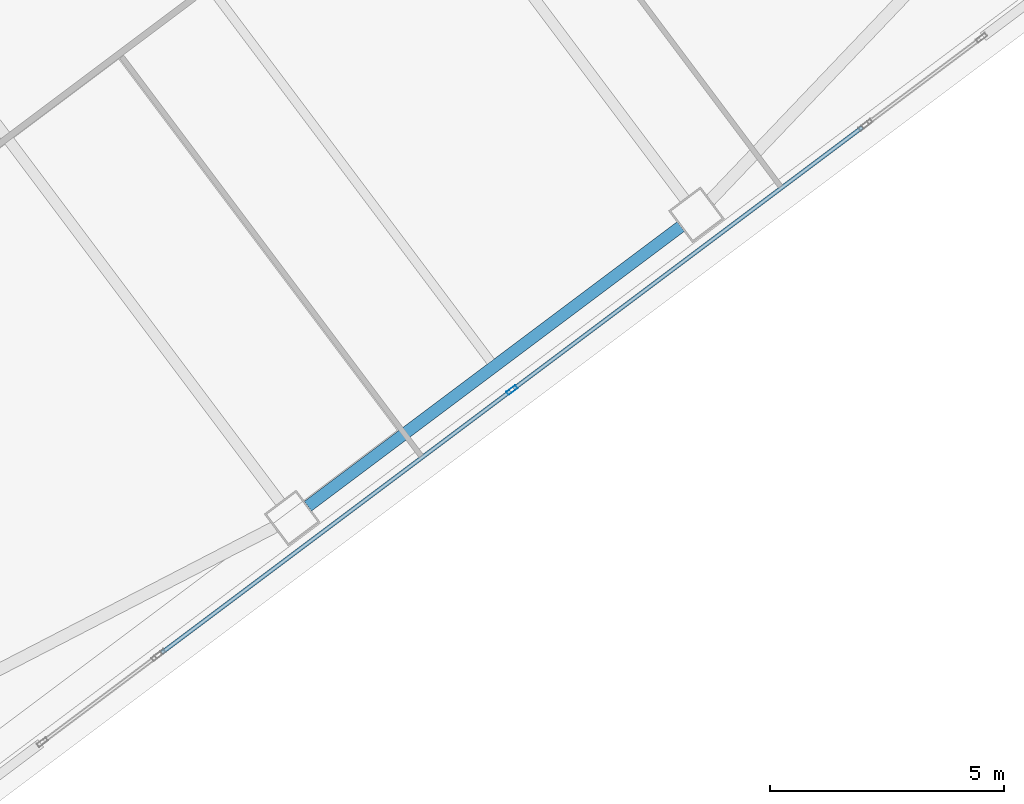
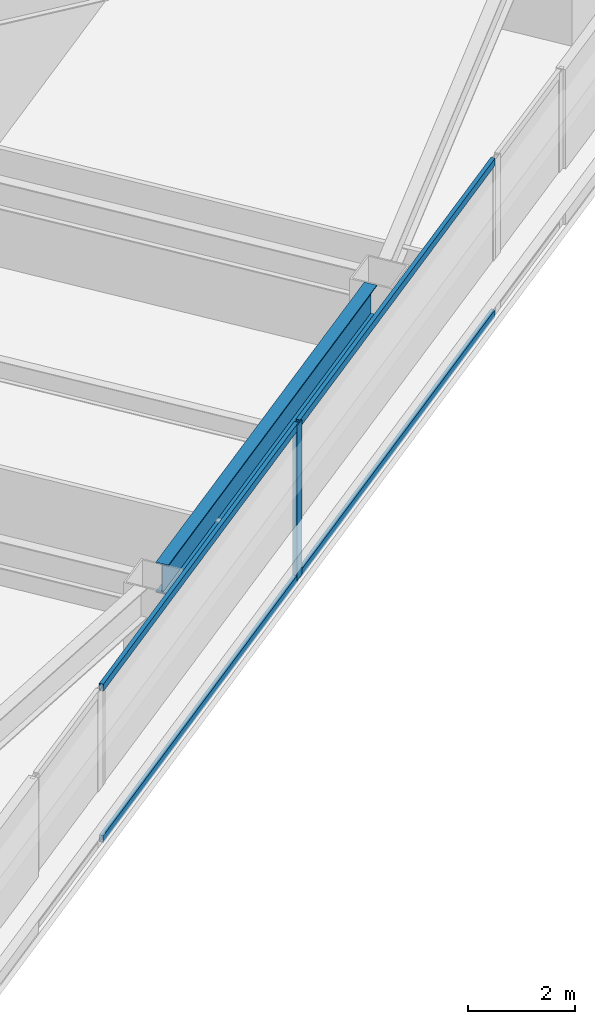
# One storey, part 24 of 48: 5 members, 1 beam, 1 element without a shape of its own.
"""IFC4 building model written with IfcOpenShell, lengths in metres."""

from ifc_helpers import new_model, si_unit, direction, frame, origin, origin_2d, place, context, subcontext, project, spatial, hollow_rectangle, i_section, extrude, material, material_profile, profile_set, type_object, element, aggregate, save


model = new_model("IFC4")

# Units and contexts
model_context = context("Model", 3, precision=1e-05, world=origin(), true_north=direction((0.0, 1.0)))
body_context = subcontext(model_context, "Body", "Model", "MODEL_VIEW")
ifc_project = project(units=[si_unit("LENGTHUNIT", "METRE"), si_unit("AREAUNIT", "SQUARE_METRE"), si_unit("VOLUMEUNIT", "CUBIC_METRE"), si_unit("PLANEANGLEUNIT", "RADIAN"), si_unit("MASSUNIT", "GRAM", prefix="KILO")], contexts=[model_context])

# Site, building, storey
site_placement = place(None, origin())
site = spatial("IfcSite", under=ifc_project, at=site_placement, CompositionType="ELEMENT")
building_placement = place(site_placement, origin())
building = spatial("IfcBuilding", under=site, at=building_placement, Name="Tashvorn Skyway Center", CompositionType="ELEMENT")
storey_placement = place(building_placement, frame((0.0, 0.0, 56.550048828125)))
storey = spatial("IfcBuildingStorey", under=building, at=storey_placement, Name="L14", CompositionType="ELEMENT", Elevation=56.550048828125)

# Beam
ifc_material_1 = material(Name="Steel ASTM A992 Grade 50", Category="steel")
ifc_material_profile_1 = material_profile(ifc_material_1, i_section(OverallWidth=0.256103515625, OverallDepth=0.693115234375, WebThickness=0.014404296875, FlangeThickness=0.023681640625, at=origin_2d()), Name="W27X114")
ifc_profile_set_1 = profile_set([ifc_material_profile_1], Name="Steel ASTM A992 Grade 50")
beam_type = type_object("IfcBeamType", Name="BM-SPANDREL-W27X114", PredefinedType="SPANDREL", material=ifc_profile_set_1)
beam_placement = place(storey_placement, frame((122.64599609375, 12.172119140625, 3.00341796875), z_axis=(0.800008824351, 0.599988234018, 0.0), x_axis=(-0.599988234018, 0.800008824351, 0.0)))
element("IfcBeam", 1, at=beam_placement, inside=storey, type_object=beam_type, Name="Tower 2 L14 Spandrel Beam 02", PredefinedType="SPANDREL", context=body_context, shape_type="SweptSolid", body=[
    extrude(i_section(OverallWidth=0.256103515625, OverallDepth=0.693115234375, WebThickness=0.014404296875, FlangeThickness=0.023681640625, at=origin_2d()), origin(), (0.0, 0.0, 1.0), 9.9599609375),
])

# Curtain wall, members
ifc_material_2 = material(Name="Thermally broken bronze-anodized aluminium 6063-T6", Category="aluminium")
curtain_wall_type = type_object("IfcCurtainWallType", Name="CW-CW-Z1", PredefinedType="NOTDEFINED", material=ifc_material_2)
curtain_wall_placement = place(storey_placement, origin())
curtain_wall = element("IfcCurtainWall", 2, at=curtain_wall_placement, inside=storey, type_object=curtain_wall_type, Name="Tower 2 L14 South Unitised Curtain Wall Glazing Group 2", PredefinedType="NOTDEFINED")
ifc_material_profile_2 = material_profile(ifc_material_2, hollow_rectangle(XDim=0.0849609375, YDim=0.239990234375, WallThickness=0.0048828125, at=origin_2d()), Name="ALU-MULL-85x240")
ifc_profile_set_2 = profile_set([ifc_material_profile_2], Name="Thermally broken bronze-anodized aluminium 6063-T6")
member_type_1 = type_object("IfcMemberType", Name="CWM-CW-Z1", PredefinedType="MULLION", material=ifc_profile_set_2)
member_1_placement = place(storey_placement, frame((127.008056640625, 14.656005859375, 0.0), z_axis=(0.0, 0.0, 1.0), x_axis=(0.600000000002, -0.799999999998, 0.0)))
member_1 = element("IfcMember", 3, at=member_1_placement, type_object=member_type_1, Name="CW-Z1 mullion 2", PredefinedType="MULLION", context=body_context, shape_type="SweptSolid", body=[
    extrude(hollow_rectangle(XDim=0.0849609375, YDim=0.239990234375, WallThickness=0.0048828125, at=origin_2d()), origin(), (0.0, 0.0, 1.0), 3.550048828125),
])
ifc_material_profile_3 = material_profile(ifc_material_2, hollow_rectangle(XDim=0.0849609375, YDim=0.1650390625, WallThickness=0.0048828125, at=origin_2d()), Name="ALU-TRAN-85x165")
ifc_profile_set_3 = profile_set([ifc_material_profile_3], Name="Thermally broken bronze-anodized aluminium 6063-T6")
member_type_2 = type_object("IfcMemberType", Name="CWT-CW-Z1", PredefinedType="USERDEFINED", material=ifc_profile_set_3)
member_2_placement = place(storey_placement, frame((134.491943359375, 20.26904296875, 0.04248046875), z_axis=(-0.799990562031, -0.600012583752, 0.0), x_axis=(0.600012583752, -0.799990562031, 0.0)))
member_2 = element("IfcMember", 4, at=member_2_placement, type_object=member_type_2, Name="CW-Z1 transom 1.1", ObjectType="TRANSOM", PredefinedType="USERDEFINED", context=body_context, shape_type="SweptSolid", body=[
    extrude(hollow_rectangle(XDim=0.0849609375, YDim=0.1650390625, WallThickness=0.0048828125, at=origin_2d()), origin(), (0.0, 0.0, 1.0), 9.3125),
])
member_3_placement = place(storey_placement, frame((134.491943359375, 20.26904296875, 3.507568359375), z_axis=(-0.799990562031, -0.600012583752, 0.0), x_axis=(0.600012583752, -0.799990562031, 0.0)))
member_3 = element("IfcMember", 5, at=member_3_placement, type_object=member_type_2, Name="CW-Z1 transom 1.2", ObjectType="TRANSOM", PredefinedType="USERDEFINED", context=body_context, shape_type="SweptSolid", body=[
    extrude(hollow_rectangle(XDim=0.0849609375, YDim=0.1650390625, WallThickness=0.0048828125, at=origin_2d()), origin(), (0.0, 0.0, 1.0), 9.3125),
])
member_4_placement = place(storey_placement, frame((126.97412109375, 14.630615234375, 0.04248046875), z_axis=(-0.8, -0.6, 0.0), x_axis=(0.6, -0.8, 0.0)))
member_4 = element("IfcMember", 6, at=member_4_placement, type_object=member_type_2, Name="CW-Z1 transom 2.1", ObjectType="TRANSOM", PredefinedType="USERDEFINED", context=body_context, shape_type="SweptSolid", body=[
    extrude(hollow_rectangle(XDim=0.0849609375, YDim=0.1650390625, WallThickness=0.0048828125, at=origin_2d()), origin(), (0.0, 0.0, 1.0), 9.312744140625),
])
member_5_placement = place(storey_placement, frame((126.97412109375, 14.630615234375, 3.507568359375), z_axis=(-0.8, -0.6, 0.0), x_axis=(0.6, -0.8, 0.0)))
member_5 = element("IfcMember", 7, at=member_5_placement, type_object=member_type_2, Name="CW-Z1 transom 2.2", ObjectType="TRANSOM", PredefinedType="USERDEFINED", context=body_context, shape_type="SweptSolid", body=[
    extrude(hollow_rectangle(XDim=0.0849609375, YDim=0.1650390625, WallThickness=0.0048828125, at=origin_2d()), origin(), (0.0, 0.0, 1.0), 9.312744140625),
])
aggregate(curtain_wall, [member_1, member_2, member_3, member_4, member_5])

save(model, "model.ifc")
